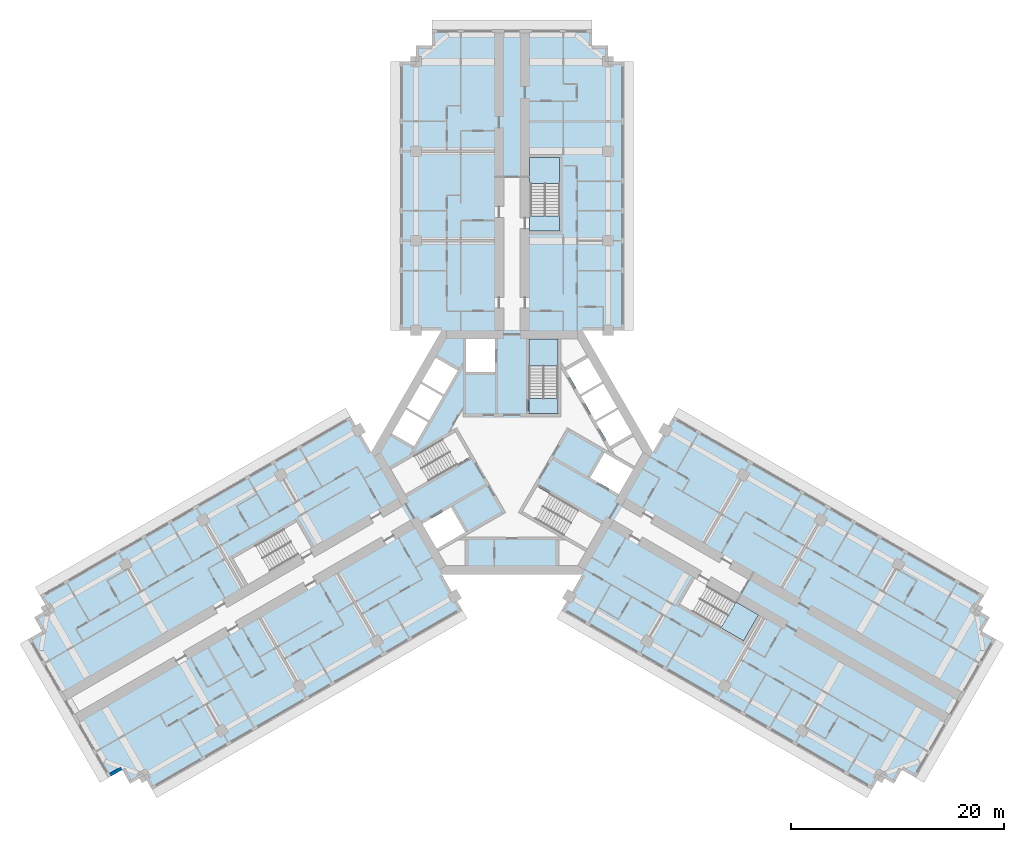
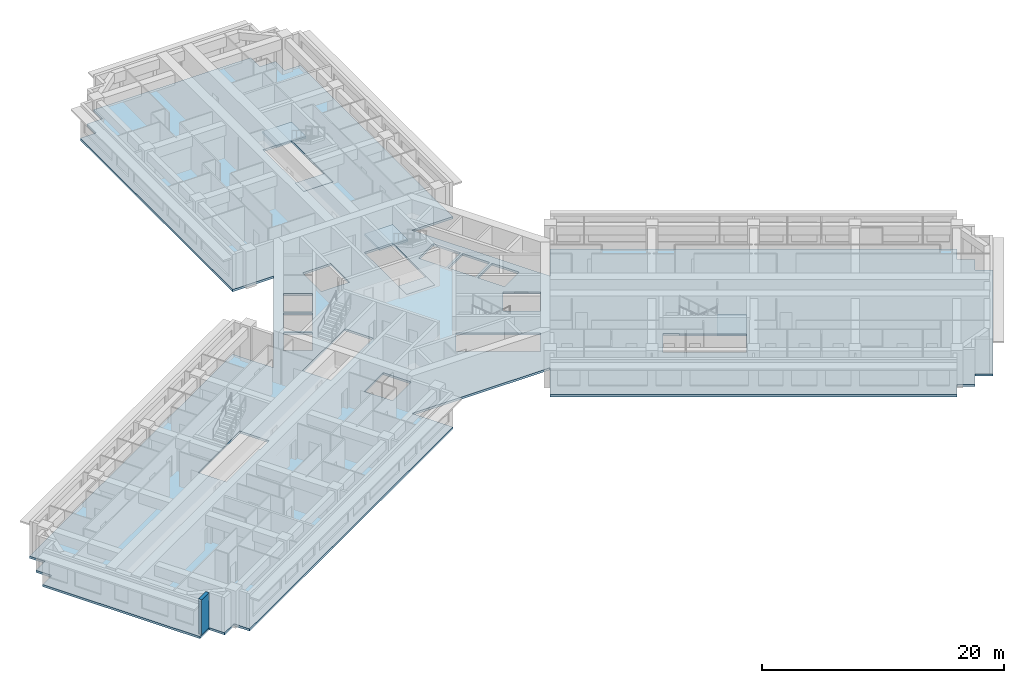
# One storey, part 2 of 14: 6 slabs, 1 wall, 3 elements without a shape of their own.
"""IFC4 building model written with IfcOpenShell, lengths in metres."""

from ifc_helpers import new_model, si_unit, direction, frame, frame_2d, origin, place, context, subcontext, project, spatial, polyline, rectangle, outline, extrude, material, layer, layer_set, type_object, element, aggregate, save


model = new_model("IFC4")

# Units and contexts
model_context = context("Model", 3, precision=1e-05, world=origin(), true_north=direction((0.0, 1.0)))
body_context = subcontext(model_context, "Body", "Model", "MODEL_VIEW")
ifc_project = project(units=[si_unit("LENGTHUNIT", "METRE"), si_unit("AREAUNIT", "SQUARE_METRE"), si_unit("VOLUMEUNIT", "CUBIC_METRE"), si_unit("PLANEANGLEUNIT", "RADIAN"), si_unit("MASSUNIT", "GRAM", prefix="KILO")], contexts=[model_context])

# Site, building, storey
site_placement = place(None, origin())
site = spatial("IfcSite", under=ifc_project, at=site_placement, CompositionType="ELEMENT")
building_placement = place(site_placement, origin())
building = spatial("IfcBuilding", under=site, at=building_placement, Name="Impinga Residences", CompositionType="ELEMENT")
storey_placement = place(building_placement, frame((0.0, 0.0, 124.75)))
storey = spatial("IfcBuildingStorey", under=building, at=storey_placement, Name="L30", CompositionType="ELEMENT", Elevation=124.75)

# Slab
ifc_material_1 = material(Name="Concrete C60/75", Category="concrete")
ifc_layer_1 = layer(ifc_material_1, 0.219970703125)
ifc_layer_set_1 = layer_set([ifc_layer_1], Name="Concrete C60/75")
slab_type_1 = type_object("IfcSlabType", Name="FS1 tower floor slab 220", PredefinedType="FLOOR", material=ifc_layer_set_1)
slab_1_placement = place(storey_placement, frame((0.0, 0.0, -0.219970703125)))
element("IfcSlab", 1, at=slab_1_placement, inside=storey, type_object=slab_type_1, Name="Floor slab FS1 L30", PredefinedType="FLOOR", context=body_context, shape_type="SweptSolid", body=[
    extrude(outline(polyline([(-34.49853515625, -30.31005859375), (-35.797607421875, -31.06005859375), (-36.547607421875, -29.760986328125), (-37.846435546875, -30.510986328125), (-45.346435546875, -17.5205078125), (-44.047607421875, -16.7705078125), (-44.797607421875, -15.471435546875), (-43.49853515625, -14.721435546875), (-44.24853515625, -13.422607421875), (-15.14990234375, 3.37744140625), (-13.199951171875, 0.0), (-6.60009765625, 11.431640625), (-10.5, 11.431640625), (-10.5, 36.631591796875), (-9.0, 36.631591796875), (-9.0, 38.131591796875), (-7.5, 38.131591796875), (-7.5, 39.631591796875), (7.5, 39.631591796875), (7.5, 38.131591796875), (9.0, 38.131591796875), (9.0, 36.631591796875), (10.5, 36.631591796875), (10.5, 11.431640625), (6.60009765625, 11.431640625), (13.199951171875, 0.0), (15.14990234375, 3.37744140625), (44.24853515625, -13.422607421875), (43.49853515625, -14.721435546875), (44.797607421875, -15.471435546875), (44.047607421875, -16.7705078125), (45.346435546875, -17.5205078125), (37.846435546875, -30.510986328125), (36.547607421875, -29.760986328125), (35.797607421875, -31.06005859375), (34.49853515625, -30.31005859375), (33.74853515625, -31.609130859375), (4.64990234375, -14.80908203125), (9.900146484375, -5.7158203125), (6.60009765625, -11.431640625), (-6.60009765625, -11.431640625), (-9.900146484375, -5.7158203125), (-4.64990234375, -14.80908203125), (-33.74853515625, -31.609130859375), (-34.49853515625, -30.31005859375)]), holes=[polyline([(-18.779052734375, -8.936767578125), (-18.8291015625, -8.850341796875), (-18.8291015625, -8.850341796875), (-20.178955078125, -6.511962890625), (-21.391357421875, -7.2119140625), (-21.391357421875, -7.2119140625), (-26.154541015625, -9.9619140625), (-24.8046875, -12.30029296875), (-20.04150390625, -9.55029296875), (-19.991455078125, -9.63671875), (-18.779052734375, -8.936767578125)]), polyline([(-4.37109375, -7.489013671875), (-5.72119140625, -5.150634765625), (-8.4072265625, -6.701416015625), (-7.05712890625, -9.039794921875), (-4.37109375, -7.489013671875)]), polyline([(-3.943603515625, -0.429443359375), (-5.293701171875, 1.908935546875), (-11.357177734375, -1.591796875), (-10.007080078125, -3.93017578125), (-3.943603515625, -0.429443359375)]), polyline([(-7.878662109375, 2.816650390625), (-9.957275390625, 4.016845703125), (-11.257080078125, 1.76513671875), (-9.1787109375, 0.56494140625), (-7.878662109375, 2.816650390625)]), polyline([(-6.478759765625, 5.24169921875), (-8.55712890625, 6.441650390625), (-9.857177734375, 4.18994140625), (-7.77880859375, 2.989990234375), (-6.478759765625, 5.24169921875)]), polyline([(4.300048828125, 3.6298828125), (4.300048828125, 10.631591796875), (1.60009765625, 10.631591796875), (1.60009765625, 3.6298828125), (4.300048828125, 3.6298828125)]), polyline([(-6.378662109375, 5.414794921875), (-5.07861328125, 7.66650390625), (-7.1572265625, 8.866455078125), (-8.457275390625, 6.61474609375), (-6.378662109375, 5.414794921875)]), polyline([(-4.300048828125, 7.530029296875), (-1.60009765625, 7.530029296875), (-1.60009765625, 10.631591796875), (-4.300048828125, 10.631591796875), (-4.300048828125, 7.530029296875)]), polyline([(4.449951171875, 20.7314453125), (4.449951171875, 22.131591796875), (4.449951171875, 27.631591796875), (1.75, 27.631591796875), (1.75, 22.131591796875), (1.64990234375, 22.131591796875), (1.64990234375, 20.7314453125), (1.75, 20.7314453125), (4.449951171875, 20.7314453125)]), polyline([(15.72900390625, -14.219482421875), (21.70458984375, -17.669677734375), (23.0546875, -15.331298828125), (18.29150390625, -12.581298828125), (18.341552734375, -12.49462890625), (17.129150390625, -11.794677734375), (15.72900390625, -14.219482421875)]), polyline([(2.34375, -3.20068359375), (0.99365234375, -5.538818359375), (7.05712890625, -9.039794921875), (8.4072265625, -6.701416015625), (2.34375, -3.20068359375)]), polyline([(7.3212890625, -2.37939453125), (10.007080078125, -3.93017578125), (11.357177734375, -1.591796875), (8.671142578125, -0.041015625), (7.3212890625, -2.37939453125)]), polyline([(7.878662109375, 2.816650390625), (9.1787109375, 0.56494140625), (11.257080078125, 1.76513671875), (9.957275390625, 4.016845703125), (7.878662109375, 2.816650390625)]), polyline([(6.478759765625, 5.24169921875), (7.77880859375, 2.989990234375), (9.857177734375, 4.18994140625), (8.55712890625, 6.441650390625), (6.478759765625, 5.24169921875)]), polyline([(6.378662109375, 5.414794921875), (8.457275390625, 6.61474609375), (7.1572265625, 8.866455078125), (5.07861328125, 7.66650390625), (6.378662109375, 5.414794921875)])]), origin(), (0.0, 0.0, 1.0), 0.219970703125),
])

# Stair, slabs
ifc_material_2 = material(Name="Concrete C40/50", Category="concrete")
stair_type_1 = type_object("IfcStairType", Name="STR core stair 3750 storey, 24 risers", PredefinedType="HALF_TURN_STAIR", material=ifc_material_2)
stair_1_placement = place(storey_placement, origin())
stair_1 = element("IfcStair", 2, at=stair_1_placement, inside=storey, type_object=stair_type_1, Name="Stair ST1 L30", PredefinedType="HALF_TURN_STAIR")
ifc_layer_2 = layer(ifc_material_2, 0.199951171875)
ifc_layer_set_2 = layer_set([ifc_layer_2], Name="Concrete C40/50")
slab_type_2 = type_object("IfcSlabType", Name="LS1 stair landing 200", PredefinedType="LANDING", material=ifc_layer_set_2)
slab_2_placement = place(storey_placement, frame((0.0, 0.0, -0.199951171875)))
slab_2 = element("IfcSlab", 3, at=slab_2_placement, type_object=slab_type_2, Name="ST1 landing 1", PredefinedType="LANDING", context=body_context, shape_type="SweptSolid", body=[
    extrude(outline(polyline([(1.60009765625, 3.6298828125), (4.300048828125, 3.6298828125), (4.300048828125, 5.0400390625), (1.60009765625, 5.0400390625), (1.60009765625, 3.6298828125)])), origin(), (0.0, 0.0, 1.0), 0.199951171875),
])
slab_3_placement = place(storey_placement, frame((0.0, 0.0, 1.675048828125)))
slab_3 = element("IfcSlab", 4, at=slab_3_placement, type_object=slab_type_2, Name="ST1 landing 2", PredefinedType="LANDING", context=body_context, shape_type="SweptSolid", body=[
    extrude(outline(polyline([(1.60009765625, 8.10009765625), (4.300048828125, 8.10009765625), (4.300048828125, 10.631591796875), (1.60009765625, 10.631591796875), (1.60009765625, 8.10009765625)])), origin(), (0.0, 0.0, 1.0), 0.199951171875),
])
aggregate(stair_1, [slab_2, slab_3])

stair_type_2 = type_object("IfcStairType", Name="STR wing stair 3750 storey, 24 risers", PredefinedType="HALF_TURN_STAIR", material=ifc_material_2)
stair_2_placement = place(storey_placement, origin())
stair_2 = element("IfcStair", 5, at=stair_2_placement, inside=storey, type_object=stair_type_2, Name="Stair WS1 L30", PredefinedType="HALF_TURN_STAIR")
slab_4_placement = place(storey_placement, frame((0.0, 0.0, -0.199951171875)))
slab_4 = element("IfcSlab", 6, at=slab_4_placement, type_object=slab_type_2, Name="WS1 landing 1", PredefinedType="LANDING", context=body_context, shape_type="SweptSolid", body=[
    extrude(outline(polyline([(1.64990234375, 20.7314453125), (4.449951171875, 20.7314453125), (4.449951171875, 22.1416015625), (1.64990234375, 22.1416015625), (1.64990234375, 20.7314453125)])), origin(), (0.0, 0.0, 1.0), 0.199951171875),
])
slab_5_placement = place(storey_placement, frame((0.0, 0.0, 1.675048828125)))
slab_5 = element("IfcSlab", 7, at=slab_5_placement, type_object=slab_type_2, Name="WS1 landing 2", PredefinedType="LANDING", context=body_context, shape_type="SweptSolid", body=[
    extrude(outline(polyline([(1.64990234375, 25.201416015625), (4.449951171875, 25.201416015625), (4.449951171875, 27.631591796875), (1.64990234375, 27.631591796875), (1.64990234375, 25.201416015625)])), origin(), (0.0, 0.0, 1.0), 0.199951171875),
])
aggregate(stair_2, [slab_4, slab_5])

# Stair, slab
stair_3_placement = place(storey_placement, origin())
stair_3 = element("IfcStair", 8, at=stair_3_placement, inside=storey, type_object=stair_type_2, Name="Stair WS3 L30", PredefinedType="HALF_TURN_STAIR")
slab_6_placement = place(storey_placement, frame((0.0, 0.0, 1.675048828125)))
slab_6 = element("IfcSlab", 9, at=slab_6_placement, type_object=slab_type_2, Name="WS3 landing 2", PredefinedType="LANDING", context=body_context, shape_type="SweptSolid", body=[
    extrude(outline(polyline([(21.000244140625, -14.02978515625), (19.60009765625, -16.45458984375), (21.70458984375, -17.669677734375), (23.1044921875, -15.24462890625), (21.000244140625, -14.02978515625)])), origin(), (0.0, 0.0, 1.0), 0.199951171875),
])
aggregate(stair_3, [slab_6])

# Wall
ifc_material_3 = material(Name="Terracotta rainscreen on blockwork", Category="masonry")
ifc_layer_3 = layer(ifc_material_3, 0.300048828125)
ifc_layer_set_3 = layer_set([ifc_layer_3], Name="EW1 external wall, terracotta rainscreen on blockwork 300")
wall_type = type_object("IfcWallType", Name="EW1 external wall, terracotta rainscreen on blockwork 300", PredefinedType="SOLIDWALL", material=ifc_layer_set_3)
wall_placement = place(storey_placement, frame((-36.626708984375, -29.633544921875, 0.0), z_axis=(0.0, 0.0, 1.0), x_axis=(-0.866059708757, -0.499940577336, 0.0)))
element("IfcWall", 10, at=wall_placement, inside=storey, type_object=wall_type, Name="External wall EW1 L30", PredefinedType="SOLIDWALL", context=body_context, shape_type="SweptSolid", body=[
    extrude(rectangle(XDim=1.195068359375, YDim=0.300048828125, at=frame_2d((0.59765625, 0.0))), origin(), (0.0, 0.0, 1.0), 3.530029296875),
])

save(model, "model.ifc")
